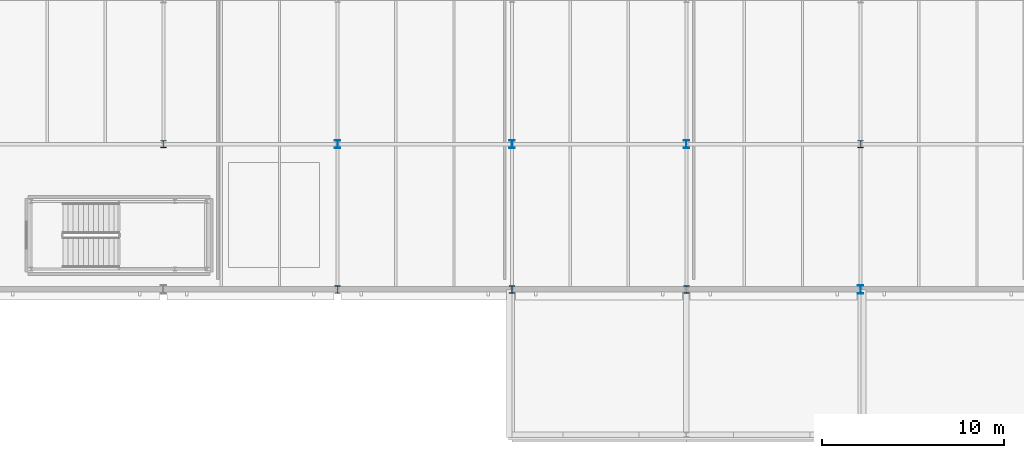
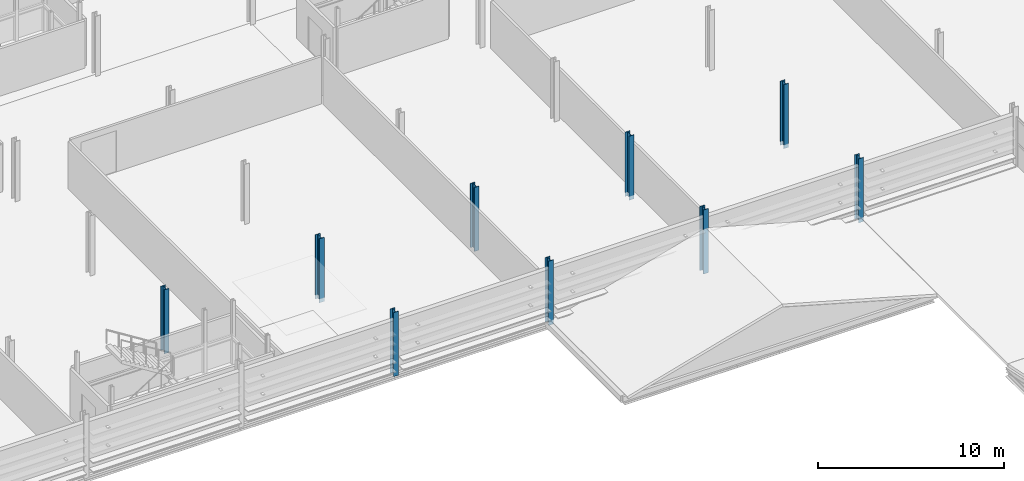
# One storey, part 2 of 85: 9 columns.
"""IFC4 building model written with IfcOpenShell, lengths in metres."""

from ifc_helpers import new_model, si_unit, direction, frame, origin, origin_2d, place, context, subcontext, project, spatial, i_section, extrude, material, material_profile, profile_set, type_object, element, save


model = new_model("IFC4")

# Units and contexts
model_context = context("Model", 3, precision=1e-05, world=origin(), true_north=direction((0.0, 1.0)))
body_context = subcontext(model_context, "Body", "Model", "MODEL_VIEW")
ifc_project = project(units=[si_unit("LENGTHUNIT", "METRE"), si_unit("AREAUNIT", "SQUARE_METRE"), si_unit("VOLUMEUNIT", "CUBIC_METRE"), si_unit("PLANEANGLEUNIT", "RADIAN"), si_unit("MASSUNIT", "GRAM", prefix="KILO")], contexts=[model_context])

# Site, building, storey
site_placement = place(None, origin())
site = spatial("IfcSite", under=ifc_project, at=site_placement, CompositionType="ELEMENT")
building_placement = place(site_placement, origin())
building = spatial("IfcBuilding", under=site, at=building_placement, Name="Alderhovde Museum", CompositionType="ELEMENT")
storey_placement = place(building_placement, frame((0.0, 0.0, 8.699951171875)))
storey = spatial("IfcBuildingStorey", under=building, at=storey_placement, Name="L02", CompositionType="ELEMENT", Elevation=8.699951171875)

# Columns
ifc_material_1 = material(Name="Steel S355J2", Category="steel")
ifc_material_profile_1 = material_profile(ifc_material_1, i_section(OverallWidth=0.300048828125, OverallDepth=0.39990234375, WebThickness=0.013427734375, FlangeThickness=0.02392578125, FilletRadius=0.027099609375, at=origin_2d()), Name="HEB 400")
ifc_profile_set_1 = profile_set([ifc_material_profile_1], Name="Steel S355J2")
column_type_1 = type_object("IfcColumnType", Name="COL-HEB400", PredefinedType="COLUMN", material=ifc_profile_set_1)
for number, where, z_axis, x_axis, name in (
    (1, (28.800048828125, 56.0, -0.260009765625), (0.0, 0.0, 1.0), (1.0, 0.0, 0.0), "L02 Column (28.8, 56.0)"),
    (2, (38.39990234375, 48.0, -0.260009765625), (0.0, 0.0, 1.0), (1.0, 0.0, 0.0), "L02 Column (38.4, 48.0)"),
    (3, (48.0, 48.0, -0.260009765625), (0.0, 0.0, 1.0), (1.0, 0.0, 0.0), "L02 Column (48.0, 48.0)"),
    (4, (57.60009765625, 48.0, -0.260009765625), (0.0, 0.0, 1.0), (1.0, 0.0, 0.0), "L02 Column (57.6, 48.0)"),
    (5, (67.199951171875, 56.0, -0.260009765625), (0.0, 0.0, 1.0), (1.0, 0.0, 0.0), "L02 Column (67.2, 56.0)"),
):
    element("IfcColumn", number, at=place(storey_placement, frame(where, z_axis=z_axis, x_axis=x_axis)), inside=storey, type_object=column_type_1, Name=name, PredefinedType="COLUMN", context=body_context, shape_type="SweptSolid", body=[
        extrude(i_section(OverallWidth=0.300048828125, OverallDepth=0.39990234375, WebThickness=0.013427734375, FlangeThickness=0.02392578125, FilletRadius=0.027099609375, at=origin_2d()), origin(), (0.0, 0.0, 1.0), 4.199951171875),
    ])
ifc_material_2 = material(Name="Steel S355J2", Category="steel")
ifc_material_profile_2 = material_profile(ifc_material_2, i_section(OverallWidth=0.300048828125, OverallDepth=0.449951171875, WebThickness=0.013916015625, FlangeThickness=0.02587890625, FilletRadius=0.027099609375, at=origin_2d()), Name="HEB 450")
ifc_profile_set_2 = profile_set([ifc_material_profile_2], Name="Steel S355J2")
column_type_2 = type_object("IfcColumnType", Name="COL-HEB450", PredefinedType="COLUMN", material=ifc_profile_set_2)
for number, where, z_axis, x_axis, name in (
    (6, (38.39990234375, 56.0, -0.260009765625), (0.0, 0.0, 1.0), (1.0, 0.0, 0.0), "L02 Column (38.4, 56.0)"),
    (7, (48.0, 56.0, -0.260009765625), (0.0, 0.0, 1.0), (1.0, 0.0, 0.0), "L02 Column (48.0, 56.0)"),
    (8, (57.60009765625, 56.0, -0.260009765625), (0.0, 0.0, 1.0), (1.0, 0.0, 0.0), "L02 Column (57.6, 56.0)"),
    (9, (67.199951171875, 48.0, -0.260009765625), (0.0, 0.0, 1.0), (1.0, 0.0, 0.0), "L02 Column (67.2, 48.0)"),
):
    element("IfcColumn", number, at=place(storey_placement, frame(where, z_axis=z_axis, x_axis=x_axis)), inside=storey, type_object=column_type_2, Name=name, PredefinedType="COLUMN", context=body_context, shape_type="SweptSolid", body=[
        extrude(i_section(OverallWidth=0.300048828125, OverallDepth=0.449951171875, WebThickness=0.013916015625, FlangeThickness=0.02587890625, FilletRadius=0.027099609375, at=origin_2d()), origin(), (0.0, 0.0, 1.0), 4.199951171875),
    ])

save(model, "model.ifc")
